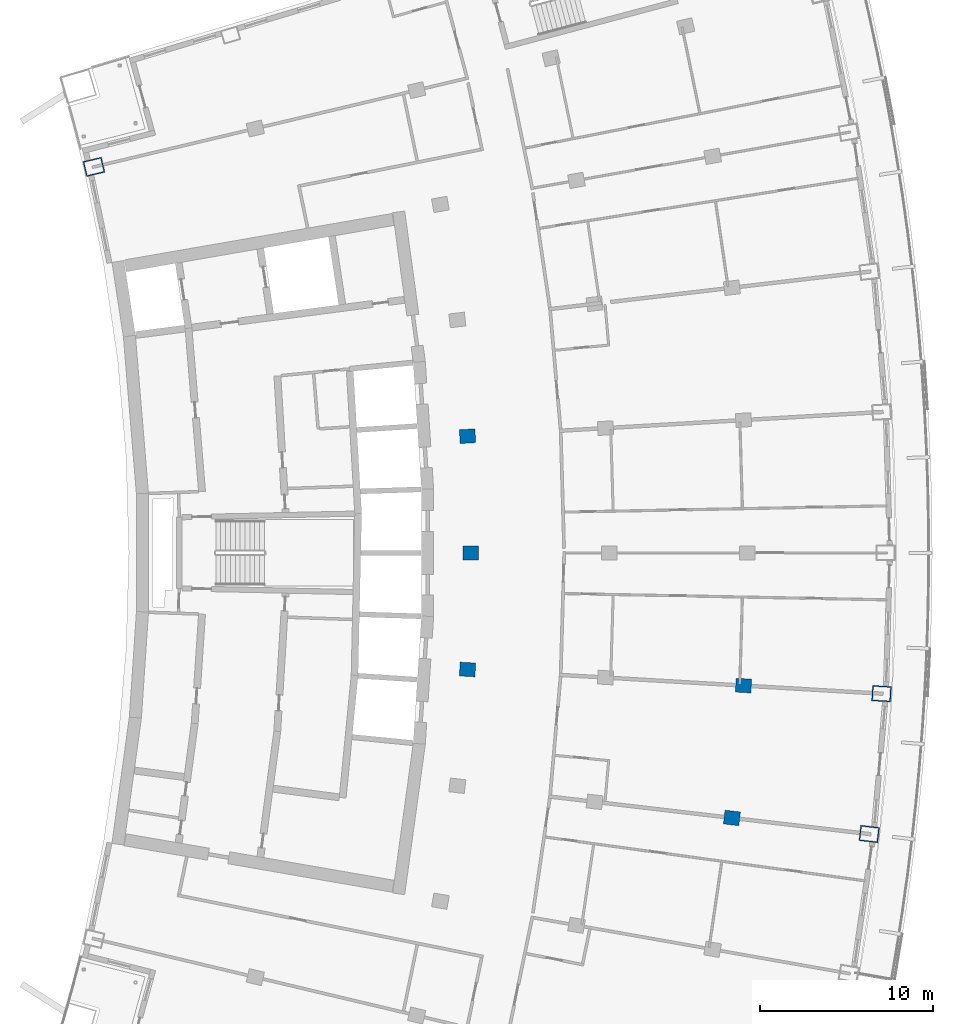
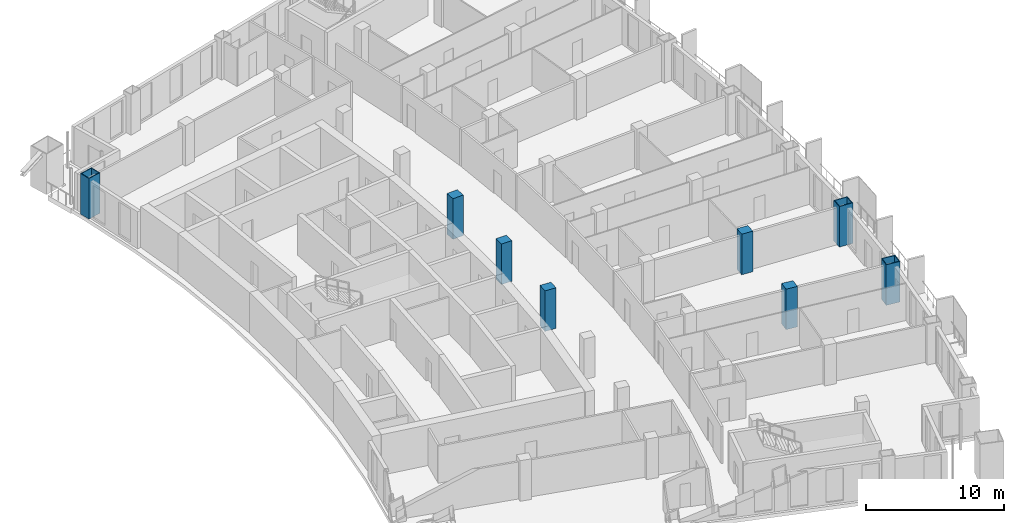
# One storey, part 4 of 20: 8 columns.
"""IFC4 building model written with IfcOpenShell, lengths in metres."""

import ifcopenshell
import ifcopenshell.guid

model = None  # the IFC model being written
_history = None  # IfcOwnerHistory: only IFC2X3 demands one
_inside = {}  # id of a spatial element -> (the spatial element, [elements in it])
_under = {}  # id of a project, library or spatial element -> (it, [spatial elements below it])
_declared = {}  # id of a project -> (the project, [libraries it declares])
_typed = {}  # id of a type object -> (the type object, [elements of that type])
_made_of = {}  # id of a material, layer set ... -> (it, [elements and type objects made of it])


def new_model(schema):
    """Start an empty IFC model of exactly this schema.

    Asked for "IFC4X3", IfcOpenShell would pick the latest addendum, in which some entities
    have other attributes; the version numbers below select the first issue.
    IFC2X3 requires an IfcOwnerHistory on every rooted entity: one is made here for all.
    """
    global model, _history
    if schema == "IFC4X3":
        model = ifcopenshell.file(schema_version=(4, 3, 0, 0))
    else:
        model = ifcopenshell.file(schema=schema)
    _inside.clear()
    _under.clear()
    _declared.clear()
    _typed.clear()
    _made_of.clear()
    _history = None
    if model.schema == "IFC2X3":
        org = make("IfcOrganization", Name="unknown")
        user = make(
            "IfcPersonAndOrganization",
            ThePerson=make("IfcPerson", FamilyName="unknown"),
            TheOrganization=org,
        )
        app = make(
            "IfcApplication",
            ApplicationDeveloper=org,
            Version="unknown",
            ApplicationFullName="unknown",
            ApplicationIdentifier="unknown",
        )
        _history = make(
            "IfcOwnerHistory",
            OwningUser=user,
            OwningApplication=app,
            ChangeAction="ADDED",
            CreationDate=0,
        )
    return model


def make(cls, **values):
    """One entity of the class cls with the attributes given. An attribute that is None is left unset."""
    return model.create_entity(
        cls, **{name: value for name, value in values.items() if value is not None}
    )


def rooted(cls, **values):
    """An entity with a GlobalId (a new one), such as an element, a storey or a relation."""
    return make(cls, GlobalId=ifcopenshell.guid.new(), OwnerHistory=_history, **values)


def si_unit(unit_type, name, prefix=None):
    """IfcSIUnit, for example si_unit("LENGTHUNIT", "METRE", prefix="MILLI")."""
    return make("IfcSIUnit", UnitType=unit_type, Prefix=prefix, Name=name)


def assignment(units):
    """IfcUnitAssignment: the units of a project."""
    return None if units is None else make("IfcUnitAssignment", Units=units)


def point(xyz):
    """IfcCartesianPoint."""
    return None if xyz is None else make("IfcCartesianPoint", Coordinates=xyz)


def direction(xyz):
    """IfcDirection."""
    return None if xyz is None else make("IfcDirection", DirectionRatios=xyz)


def frame(location, z_axis=None, x_axis=None):
    """IfcAxis2Placement3D, a coordinate frame: its origin and axes. An axis left out is left unset."""
    return make(
        "IfcAxis2Placement3D",
        Location=point(location),
        Axis=direction(z_axis),
        RefDirection=direction(x_axis),
    )


def frame_2d(location, x_axis=None):
    """IfcAxis2Placement2D, a coordinate frame in the plane: its origin and x axis."""
    return make(
        "IfcAxis2Placement2D", Location=point(location), RefDirection=direction(x_axis)
    )


def origin():
    """The frame at (0, 0, 0) with its axes left unset."""
    return frame((0.0, 0.0, 0.0))


def origin_2d():
    """The frame at (0, 0) in the plane with its x axis left unset."""
    return frame_2d((0.0, 0.0))


def place(relative_to, where):
    """IfcLocalPlacement: puts the frame where relative to a parent placement (None: the world)."""
    return make(
        "IfcLocalPlacement", PlacementRelTo=relative_to, RelativePlacement=where
    )


def context(
    kind, dimensions, precision=None, world=None, true_north=None, identifier=None
):
    """IfcGeometricRepresentationContext, for example the 3D "Model" context."""
    return make(
        "IfcGeometricRepresentationContext",
        ContextIdentifier=identifier,
        ContextType=kind,
        CoordinateSpaceDimension=dimensions,
        Precision=precision,
        WorldCoordinateSystem=world,
        TrueNorth=true_north,
    )


def subcontext(parent, identifier, kind, view, scale=None):
    """IfcGeometricRepresentationSubContext, for example "Body" below "Model"."""
    return make(
        "IfcGeometricRepresentationSubContext",
        ContextIdentifier=identifier,
        ContextType=kind,
        ParentContext=parent,
        TargetScale=scale,
        TargetView=view,
    )


def project(units=None, contexts=None):
    """IfcProject with its units and contexts."""
    return rooted(
        "IfcProject",
        Name="project",
        RepresentationContexts=contexts,
        UnitsInContext=assignment(units),
    )


def spatial(cls, under=None, at=None, **own):
    """A site, building, storey or space (cls), placed at a placement, below another one or the project."""
    s = rooted(cls, ObjectPlacement=at, **own)
    if under is not None:
        _under.setdefault(under.id(), (under, []))[1].append(s)
    return s


def profile(cls, at=None, kind="AREA", **sizes):
    """A parametric profile (cls). Its sizes go by their IFC names, for example OverallWidth=200.0."""
    return make(cls, ProfileType=kind, Position=at, **sizes)


def rectangle(**sizes):
    """IfcRectangleProfileDef."""
    return profile("IfcRectangleProfileDef", **sizes)


def hollow_rectangle(**sizes):
    """IfcRectangleHollowProfileDef."""
    return profile("IfcRectangleHollowProfileDef", **sizes)


def extrude(swept, where, along, depth):
    """IfcExtrudedAreaSolid: the profile swept, set in the frame where, extruded along a direction by depth."""
    return make(
        "IfcExtrudedAreaSolid",
        SweptArea=swept,
        Position=where,
        ExtrudedDirection=direction(along),
        Depth=depth,
    )


def shape(context_of_items, identifier, shape_type, items):
    """IfcShapeRepresentation: the items that make up one representation, for example the "Body"."""
    return make(
        "IfcShapeRepresentation",
        ContextOfItems=context_of_items,
        RepresentationIdentifier=identifier,
        RepresentationType=shape_type,
        Items=items,
    )


def material(Name=None, Category=None):
    """IfcMaterial."""
    return make("IfcMaterial", Name=Name, Category=Category)


def material_profile(
    of_material, cross_section, Name=None, Category=None, Priority=None
):
    """IfcMaterialProfile: a cross section and its material."""
    return make(
        "IfcMaterialProfile",
        Name=Name,
        Material=of_material,
        Profile=cross_section,
        Priority=Priority,
        Category=Category,
    )


def profile_set(profiles, Name=None, composite=None):
    """IfcMaterialProfileSet."""
    return make(
        "IfcMaterialProfileSet",
        Name=Name,
        MaterialProfiles=profiles,
        CompositeProfile=composite,
    )


def made_of(thing, what):
    """Note that an element or type object is made of a material, layer set ...; save() writes the relation."""
    if what is not None:
        _made_of.setdefault(what.id(), (what, []))[1].append(thing)
    return thing


def type_object(cls, material=None, **own):
    """A type object (cls), such as IfcWallType, which elements share."""
    return made_of(rooted(cls, **own), material)


def element(
    cls,
    number,
    at=None,
    inside=None,
    cuts=None,
    type_object=None,
    material=None,
    context=None,
    identifier="Body",
    shape_type=None,
    held_by="IfcProductDefinitionShape",
    body=None,
    shapes=None,
    **own,
):
    """One element of the class cls, such as IfcWall. Its Tag is "e" and its number.

    at: its placement. inside: the storey or other place that contains it. cuts: it is an
    opening in that element (IfcRelVoidsElement). A single representation is given by context,
    identifier, shape_type and body (its items); several are given by shapes. held_by: the class
    of the entity that holds the representations. save() writes the other relations.
    """
    e = rooted(cls, Tag="e%d" % number, ObjectPlacement=at, **own)
    if body is not None:
        shapes = [shape(context, identifier, shape_type, body)]
    if shapes is not None:
        e.Representation = make(held_by, Representations=shapes)
    if inside is not None:
        _inside.setdefault(inside.id(), (inside, []))[1].append(e)
    if cuts is not None:
        rooted(
            "IfcRelVoidsElement", RelatingBuildingElement=cuts, RelatedOpeningElement=e
        )
    if type_object is not None:
        _typed.setdefault(type_object.id(), (type_object, []))[1].append(e)
    return made_of(e, material)


def aggregate(whole, parts):
    """IfcRelAggregates: a whole, such as a stair, and the parts it consists of."""
    return rooted("IfcRelAggregates", RelatingObject=whole, RelatedObjects=parts)


def save(model, path):
    """Write the relations noted so far, then the file.

    IfcRelAggregates (storeys below a building ...), IfcRelContainedInSpatialStructure (elements
    in a storey), IfcRelDefinesByType, IfcRelAssociatesMaterial and IfcRelDeclares: one each for
    every whole, place, type object, material and project.
    """
    for whole, parts in _under.values():
        aggregate(whole, parts)
    for where, things in _inside.values():
        rooted(
            "IfcRelContainedInSpatialStructure",
            RelatedElements=things,
            RelatingStructure=where,
        )
    for kind, things in _typed.values():
        rooted("IfcRelDefinesByType", RelatedObjects=things, RelatingType=kind)
    for what, things in _made_of.values():
        rooted("IfcRelAssociatesMaterial", RelatedObjects=things, RelatingMaterial=what)
    for by, libraries in _declared.values():
        rooted("IfcRelDeclares", RelatingContext=by, RelatedDefinitions=libraries)
    model.write(path)


model = new_model("IFC4")

# Units and contexts
model_context = context("Model", 3, precision=1e-05, world=origin(), true_north=direction((0.0, 1.0)))
body_context = subcontext(model_context, "Body", "Model", "MODEL_VIEW")
ifc_project = project(units=[si_unit("LENGTHUNIT", "METRE"), si_unit("AREAUNIT", "SQUARE_METRE"), si_unit("VOLUMEUNIT", "CUBIC_METRE"), si_unit("PLANEANGLEUNIT", "RADIAN"), si_unit("MASSUNIT", "GRAM", prefix="KILO")], contexts=[model_context])

# Site, building, storey
site_placement = place(None, origin())
site = spatial("IfcSite", under=ifc_project, at=site_placement, CompositionType="ELEMENT")
building_placement = place(site_placement, origin())
building = spatial("IfcBuilding", under=site, at=building_placement, Name="Alderwake Tower", CompositionType="ELEMENT")
storey_placement = place(building_placement, frame((0.0, 0.0, 153.199951171875)))
storey = spatial("IfcBuildingStorey", under=building, at=storey_placement, Name="L37", CompositionType="ELEMENT", Elevation=153.199951171875)

# Columns
ifc_material_1 = material(Name="Concrete C70/85", Category="concrete")
ifc_material_profile_1 = material_profile(ifc_material_1, rectangle(XDim=0.800048828125, YDim=0.89990234375, at=origin_2d()), Name="RC 900X800")
ifc_profile_set_1 = profile_set([ifc_material_profile_1], Name="Concrete C70/85")
column_type_1 = type_object("IfcColumnType", Name="Interior column Z3", PredefinedType="COLUMN", material=ifc_profile_set_1)
for number, where, z_axis, x_axis, name in (
    (1, (50.904052734375, 45.658203125, 0.0), (0.0, 0.0, 1.0), (0.116402054316, 0.993202175668, 0.0), "Column R05-C4"),
    (2, (35.60302734375, 54.248779296875, 0.0), (0.0, 0.0, 1.0), (0.058301061284, 0.998299046505, 0.0), "Column R06-C2"),
    (3, (51.57568359375, 53.31591796875, 0.0), (0.0, 0.0, 1.0), (0.058301061284, 0.998299046505, 0.0), "Column R06-C4"),
    (4, (35.800048828125, 61.0, 0.0), (0.0, 0.0, 1.0), (0.0, 1.0, 0.0), "Column R07-C2"),
    (5, (35.60302734375, 67.751220703125, 0.0), (0.0, 0.0, 1.0), (-0.058301061284, 0.998299046505, 0.0), "Column R08-C2"),
):
    element("IfcColumn", number, at=place(storey_placement, frame(where, z_axis=z_axis, x_axis=x_axis)), inside=storey, type_object=column_type_1, Name=name, PredefinedType="COLUMN", context=body_context, shape_type="SweptSolid", body=[
        extrude(rectangle(XDim=0.800048828125, YDim=0.89990234375, at=origin_2d()), origin(), (0.0, 0.0, 1.0), 3.60009765625),
    ])
ifc_material_2 = material(Name="Steel ASTM A572 Grade 50 concrete filled C70/85", Category="concrete")
ifc_material_profile_2 = material_profile(ifc_material_2, hollow_rectangle(XDim=0.89990234375, YDim=1.10009765625, WallThickness=0.06005859375, at=origin_2d()), Name="BOX 1100X900X60")
ifc_profile_set_2 = profile_set([ifc_material_profile_2], Name="Steel ASTM A572 Grade 50 concrete filled C70/85")
column_type_2 = type_object("IfcColumnType", Name="Perimeter column Z3", PredefinedType="COLUMN", material=ifc_profile_set_2)
for number, where, z_axis, x_axis, name in (
    (6, (58.849609375, 44.72705078125, 0.0), (0.0, 0.0, 1.0), (0.116402054316, 0.993202175668, 0.0), "Column R05-C5"),
    (7, (59.562255859375, 52.849609375, 0.0), (0.0, 0.0, 1.0), (0.058301061284, 0.998299046505, 0.0), "Column R06-C5"),
    (8, (13.982177734375, 83.3359375, 0.0), (0.0, 0.0, 1.0), (-0.231221547198, 0.972901123502, 0.0), "Column R11-C0"),
):
    element("IfcColumn", number, at=place(storey_placement, frame(where, z_axis=z_axis, x_axis=x_axis)), inside=storey, type_object=column_type_2, Name=name, PredefinedType="COLUMN", context=body_context, shape_type="SweptSolid", body=[
        extrude(hollow_rectangle(XDim=0.89990234375, YDim=1.10009765625, WallThickness=0.06005859375, at=origin_2d()), origin(), (0.0, 0.0, 1.0), 3.60009765625),
    ])

save(model, "model.ifc")
